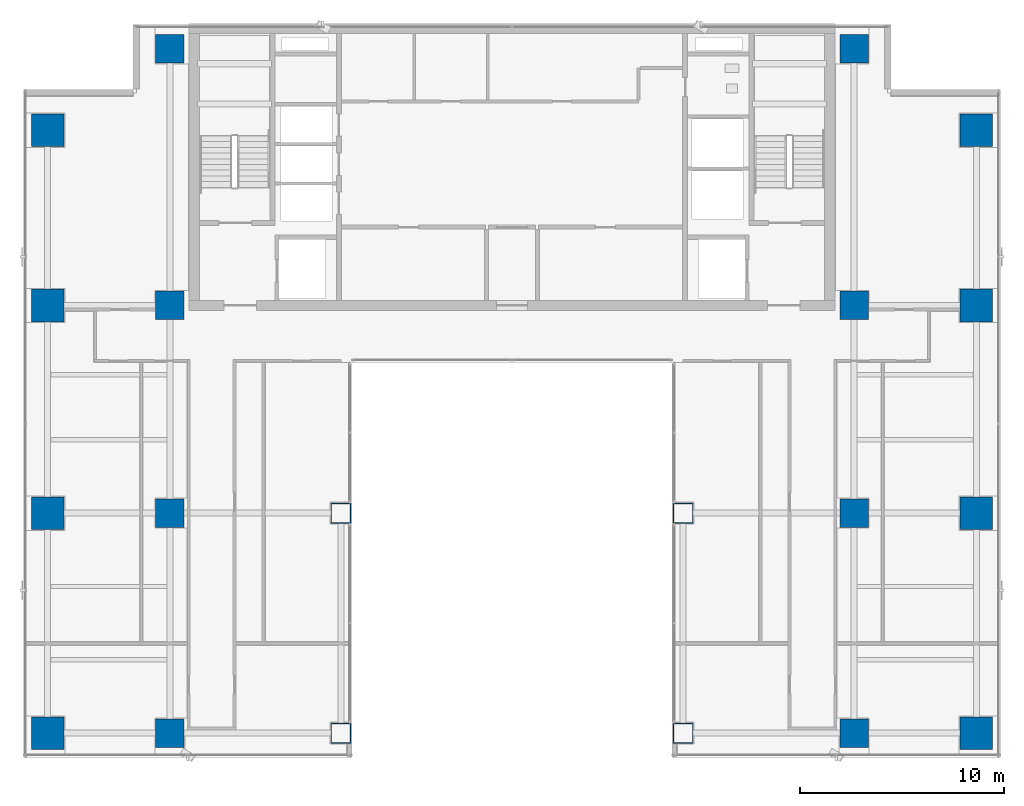
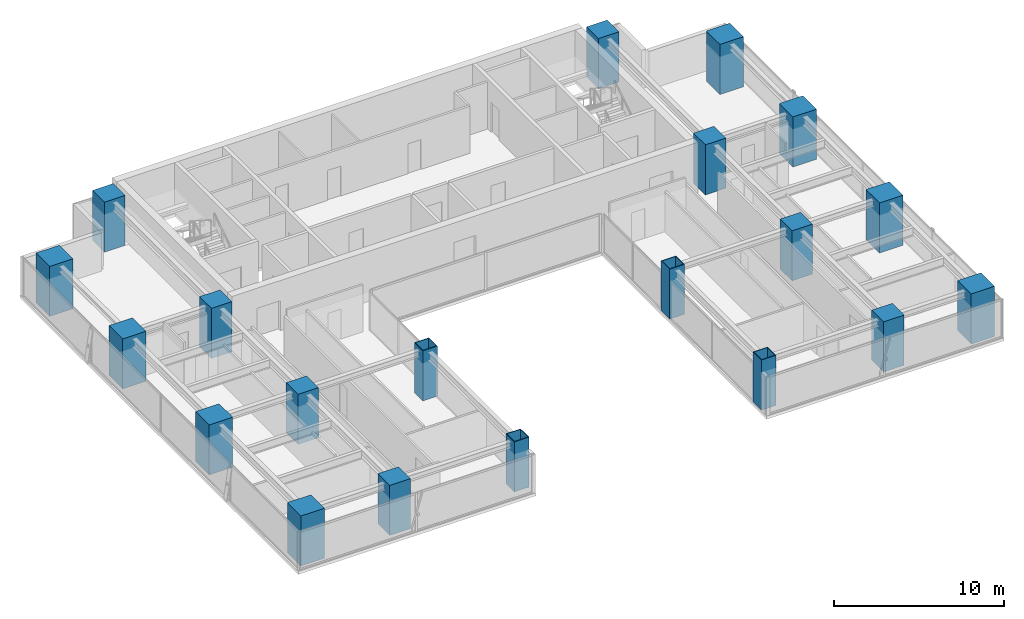
# One storey, part 1 of 30: 20 columns.
"""IFC4 building model written with IfcOpenShell, lengths in metres."""

from ifc_helpers import new_model, si_unit, direction, frame, origin, origin_2d, place, context, subcontext, project, spatial, rectangle, hollow_rectangle, extrude, source, transform, mapped, material, material_profile, profile_set, type_object, element, save


model = new_model("IFC4")

# Units and contexts
model_context = context("Model", 3, precision=1e-05, world=origin(), true_north=direction((0.0, 1.0)))
body_context = subcontext(model_context, "Body", "Model", "MODEL_VIEW")
ifc_project = project(units=[si_unit("LENGTHUNIT", "METRE"), si_unit("AREAUNIT", "SQUARE_METRE"), si_unit("VOLUMEUNIT", "CUBIC_METRE"), si_unit("PLANEANGLEUNIT", "RADIAN"), si_unit("MASSUNIT", "GRAM", prefix="KILO")], contexts=[model_context])

# Site, building, storey
site_placement = place(None, origin())
site = spatial("IfcSite", under=ifc_project, at=site_placement, CompositionType="ELEMENT")
building_placement = place(site_placement, origin())
building = spatial("IfcBuilding", under=site, at=building_placement, Name="Sumidabori Civic Tower", CompositionType="ELEMENT")
storey_placement = place(building_placement, frame((0.0, 0.0, 200.0)))
storey = spatial("IfcBuildingStorey", under=building, at=storey_placement, Name="L51", CompositionType="ELEMENT", Elevation=200.0)

# Columns
ifc_material_1 = material(Name="Concrete C60/75", Category="concrete")
ifc_material_profile_1 = material_profile(ifc_material_1, rectangle(XDim=1.60009765625, YDim=1.60009765625, at=origin_2d()), Name="RC 1600x1600")
ifc_profile_set_1 = profile_set([ifc_material_profile_1], Name="Concrete C60/75")
column_type_1 = type_object("IfcColumnType", Name="CL-MEGA-1600", PredefinedType="COLUMN", material=ifc_profile_set_1)
shared_shape_1 = source(origin(), body_context, "Body", "SweptSolid", [
    extrude(rectangle(XDim=1.60009765625, YDim=1.60009765625, at=origin_2d()), origin(), (0.0, 0.0, 1.0), 3.60009765625),
])
for number, where, z_axis, x_axis, name in (
    (1, (-22.800048828125, -10.800048828125, 0.0), (0.0, 0.0, 1.0), (1.0, 0.0, 0.0), "Column MC-W23-Y11S L51"),
    (2, (-22.800048828125, 0.0, 0.0), (0.0, 0.0, 1.0), (1.0, 0.0, 0.0), "Column MC-W23-Y00 L51"),
    (3, (-22.800048828125, 10.199951171875, 0.0), (0.0, 0.0, 1.0), (1.0, 0.0, 0.0), "Column MC-W23-Y10N L51"),
    (4, (-22.800048828125, 18.800048828125, 0.0), (0.0, 0.0, 1.0), (1.0, 0.0, 0.0), "Column MC-W23-Y19N L51"),
    (5, (22.800048828125, -10.800048828125, 0.0), (0.0, 0.0, 1.0), (1.0, 0.0, 0.0), "Column MC-E23-Y11S L51"),
    (6, (22.800048828125, 0.0, 0.0), (0.0, 0.0, 1.0), (1.0, 0.0, 0.0), "Column MC-E23-Y00 L51"),
    (7, (22.800048828125, 10.199951171875, 0.0), (0.0, 0.0, 1.0), (1.0, 0.0, 0.0), "Column MC-E23-Y10N L51"),
    (8, (22.800048828125, 18.800048828125, 0.0), (0.0, 0.0, 1.0), (1.0, 0.0, 0.0), "Column MC-E23-Y19N L51"),
):
    element("IfcColumn", number, at=place(storey_placement, frame(where, z_axis=z_axis, x_axis=x_axis)), inside=storey, type_object=column_type_1, Name=name, PredefinedType="COLUMN", context=body_context, shape_type="MappedRepresentation", body=[
        mapped(shared_shape_1, transform((0.0, 0.0, 0.0), x_axis=(1.0, 0.0, 0.0), y_axis=(0.0, 1.0, 0.0), z_axis=(0.0, 0.0, 1.0), scale=1.0)),
    ])
ifc_material_2 = material(Name="Steel SM570", Category="steel")
ifc_material_profile_2 = material_profile(ifc_material_2, hollow_rectangle(XDim=1.0, YDim=1.0, WallThickness=0.044921875, at=origin_2d()), Name="SHS 1000x1000x45")
ifc_profile_set_2 = profile_set([ifc_material_profile_2], Name="Steel SM570")
column_type_2 = type_object("IfcColumnType", Name="CL-PORTAL-SHS1000", PredefinedType="COLUMN", material=ifc_profile_set_2)
shared_shape_2 = source(origin(), body_context, "Body", "SweptSolid", [
    extrude(hollow_rectangle(XDim=1.0, YDim=1.0, WallThickness=0.044921875, at=origin_2d()), origin(), (0.0, 0.0, 1.0), 3.60009765625),
])
for number, where, z_axis, x_axis, name in (
    (9, (-8.39990234375, 0.0, 0.0), (0.0, 0.0, 1.0), (1.0, 0.0, 0.0), "Column MC-W08-Y00 L51"),
    (10, (-8.39990234375, -10.800048828125, 0.0), (0.0, 0.0, 1.0), (1.0, 0.0, 0.0), "Column MC-W08-Y11S L51"),
    (11, (8.39990234375, 0.0, 0.0), (0.0, 0.0, 1.0), (1.0, 0.0, 0.0), "Column MC-E08-Y00 L51"),
    (12, (8.39990234375, -10.800048828125, 0.0), (0.0, 0.0, 1.0), (1.0, 0.0, 0.0), "Column MC-E08-Y11S L51"),
):
    element("IfcColumn", number, at=place(storey_placement, frame(where, z_axis=z_axis, x_axis=x_axis)), inside=storey, type_object=column_type_2, Name=name, PredefinedType="COLUMN", context=body_context, shape_type="MappedRepresentation", body=[
        mapped(shared_shape_2, transform((0.0, 0.0, 0.0), x_axis=(1.0, 0.0, 0.0), y_axis=(0.0, 1.0, 0.0), z_axis=(0.0, 0.0, 1.0), scale=1.0)),
    ])
ifc_material_profile_3 = material_profile(ifc_material_1, rectangle(XDim=1.39990234375, YDim=1.39990234375, at=origin_2d()), Name="RC 1400x1400")
ifc_profile_set_3 = profile_set([ifc_material_profile_3], Name="Concrete C60/75")
column_type_3 = type_object("IfcColumnType", Name="CL-MEGA-1400", PredefinedType="COLUMN", material=ifc_profile_set_3)
shared_shape_3 = source(origin(), body_context, "Body", "SweptSolid", [
    extrude(rectangle(XDim=1.39990234375, YDim=1.39990234375, at=origin_2d()), origin(), (0.0, 0.0, 1.0), 3.60009765625),
])
for number, where, z_axis, x_axis, name in (
    (13, (-16.800048828125, -10.800048828125, 0.0), (0.0, 0.0, 1.0), (1.0, 0.0, 0.0), "Column MC-W16-Y11S L51"),
    (14, (-16.800048828125, 0.0, 0.0), (0.0, 0.0, 1.0), (1.0, 0.0, 0.0), "Column MC-W16-Y00 L51"),
    (15, (-16.800048828125, 10.199951171875, 0.0), (0.0, 0.0, 1.0), (1.0, 0.0, 0.0), "Column MC-W16-Y10N L51"),
    (16, (-16.800048828125, 22.800048828125, 0.0), (0.0, 0.0, 1.0), (1.0, 0.0, 0.0), "Column MC-W16-Y23N L51"),
    (17, (16.800048828125, -10.800048828125, 0.0), (0.0, 0.0, 1.0), (1.0, 0.0, 0.0), "Column MC-E16-Y11S L51"),
    (18, (16.800048828125, 0.0, 0.0), (0.0, 0.0, 1.0), (1.0, 0.0, 0.0), "Column MC-E16-Y00 L51"),
    (19, (16.800048828125, 10.199951171875, 0.0), (0.0, 0.0, 1.0), (1.0, 0.0, 0.0), "Column MC-E16-Y10N L51"),
    (20, (16.800048828125, 22.800048828125, 0.0), (0.0, 0.0, 1.0), (1.0, 0.0, 0.0), "Column MC-E16-Y23N L51"),
):
    element("IfcColumn", number, at=place(storey_placement, frame(where, z_axis=z_axis, x_axis=x_axis)), inside=storey, type_object=column_type_3, Name=name, PredefinedType="COLUMN", context=body_context, shape_type="MappedRepresentation", body=[
        mapped(shared_shape_3, transform((0.0, 0.0, 0.0), x_axis=(1.0, 0.0, 0.0), y_axis=(0.0, 1.0, 0.0), z_axis=(0.0, 0.0, 1.0), scale=1.0)),
    ])

save(model, "model.ifc")
